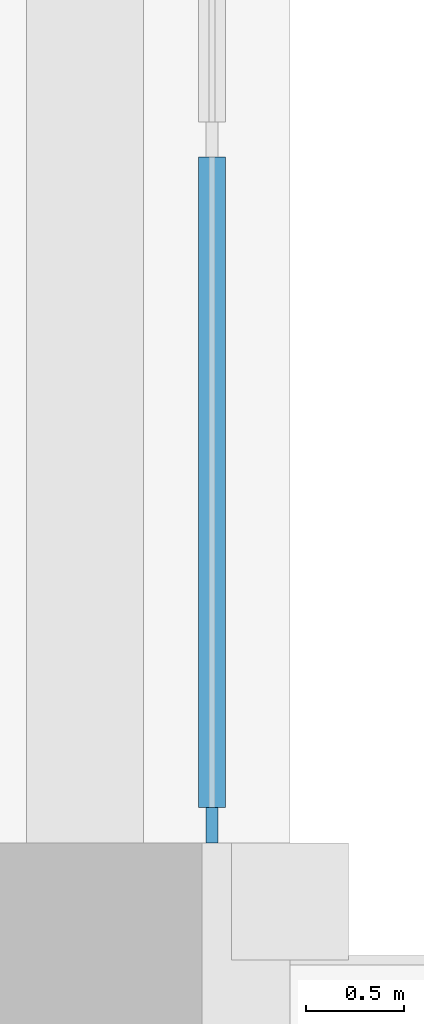
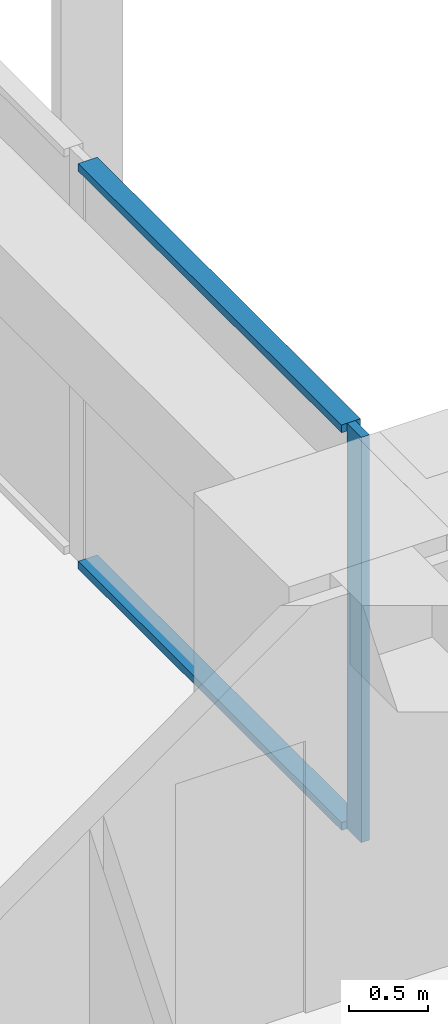
# One storey, part 4 of 19: 3 members, 1 element without a shape of its own.
"""IFC4 building model written with IfcOpenShell, lengths in metres."""

from ifc_helpers import new_model, si_unit, direction, frame, origin, origin_2d, place, context, subcontext, project, spatial, rectangle, extrude, material, material_profile, profile_set, type_object, element, aggregate, save


model = new_model("IFC4")

# Units and contexts
model_context = context("Model", 3, precision=1e-05, world=origin(), true_north=direction((0.0, 1.0)))
body_context = subcontext(model_context, "Body", "Model", "MODEL_VIEW")
ifc_project = project(units=[si_unit("LENGTHUNIT", "METRE"), si_unit("AREAUNIT", "SQUARE_METRE"), si_unit("VOLUMEUNIT", "CUBIC_METRE"), si_unit("PLANEANGLEUNIT", "RADIAN"), si_unit("MASSUNIT", "GRAM", prefix="KILO")], contexts=[model_context])

# Site, building, storey
site_placement = place(None, origin())
site = spatial("IfcSite", under=ifc_project, at=site_placement, CompositionType="ELEMENT")
building_placement = place(site_placement, origin())
building = spatial("IfcBuilding", under=site, at=building_placement, Name="Vermilion Ogive Tower", CompositionType="ELEMENT")
storey_placement = place(building_placement, frame((0.0, 0.0, 104.550048828125)))
storey = spatial("IfcBuildingStorey", under=building, at=storey_placement, Name="L26", CompositionType="ELEMENT", Elevation=104.550048828125)

# Curtain wall, members
ifc_material_1 = material(Name="Low-iron laminated glazing in aluminium frame", Category="aluminium")
curtain_wall_type = type_object("IfcCurtainWallType", Name="Curtain wall CW7", PredefinedType="NOTDEFINED", material=ifc_material_1)
curtain_wall_placement = place(storey_placement, origin())
curtain_wall = element("IfcCurtainWall", 1, at=curtain_wall_placement, inside=storey, type_object=curtain_wall_type, Name="Glazed skin E3", PredefinedType="NOTDEFINED")
ifc_material_2 = material(Name="Aluminium mullion", Category="aluminium")
ifc_material_profile_1 = material_profile(ifc_material_2, rectangle(XDim=0.06005859375, YDim=0.179931640625, at=origin_2d()), Name="AL 60x180")
ifc_profile_set_1 = profile_set([ifc_material_profile_1], Name="Aluminium mullion")
member_type_1 = type_object("IfcMemberType", Name="CW7 mullion 60x180", PredefinedType="MULLION", material=ifc_profile_set_1)
member_1_placement = place(storey_placement, frame((25.85009765625, 4.889892578125, 0.0), z_axis=(0.0, 0.0, 1.0), x_axis=(-1.0, 0.0, 0.0)))
member_1 = element("IfcMember", 2, at=member_1_placement, type_object=member_type_1, Name="CW7-E3 mullion 1", PredefinedType="MULLION", context=body_context, shape_type="SweptSolid", body=[
    extrude(rectangle(XDim=0.06005859375, YDim=0.179931640625, at=origin_2d()), origin(), (0.0, 0.0, 1.0), 3.1298828125),
])
ifc_material_3 = material(Name="Aluminium transom", Category="aluminium")
ifc_material_profile_2 = material_profile(ifc_material_3, rectangle(XDim=0.139892578125, YDim=0.06005859375, at=origin_2d()), Name="AL 60x140")
ifc_profile_set_2 = profile_set([ifc_material_profile_2], Name="Aluminium transom")
member_type_2 = type_object("IfcMemberType", Name="CW7 transom 60x140", PredefinedType="USERDEFINED", material=ifc_profile_set_2)
member_2_placement = place(storey_placement, frame((25.85009765625, 4.97998046875, 0.030029296875), z_axis=(0.0, 1.0, 0.0), x_axis=(-1.0, 0.0, 0.0)))
member_2 = element("IfcMember", 3, at=member_2_placement, type_object=member_type_2, Name="CW7-E3 transom 1.1", ObjectType="TRANSOM", PredefinedType="USERDEFINED", context=body_context, shape_type="SweptSolid", body=[
    extrude(rectangle(XDim=0.139892578125, YDim=0.06005859375, at=origin_2d()), origin(), (0.0, 0.0, 1.0), 3.330078125),
])
member_3_placement = place(storey_placement, frame((25.85009765625, 4.97998046875, 3.099853515625), z_axis=(0.0, 1.0, 0.0), x_axis=(-1.0, 0.0, 0.0)))
member_3 = element("IfcMember", 4, at=member_3_placement, type_object=member_type_2, Name="CW7-E3 transom 1.2", ObjectType="TRANSOM", PredefinedType="USERDEFINED", context=body_context, shape_type="SweptSolid", body=[
    extrude(rectangle(XDim=0.139892578125, YDim=0.06005859375, at=origin_2d()), origin(), (0.0, 0.0, 1.0), 3.330078125),
])
aggregate(curtain_wall, [member_1, member_2, member_3])

save(model, "model.ifc")
